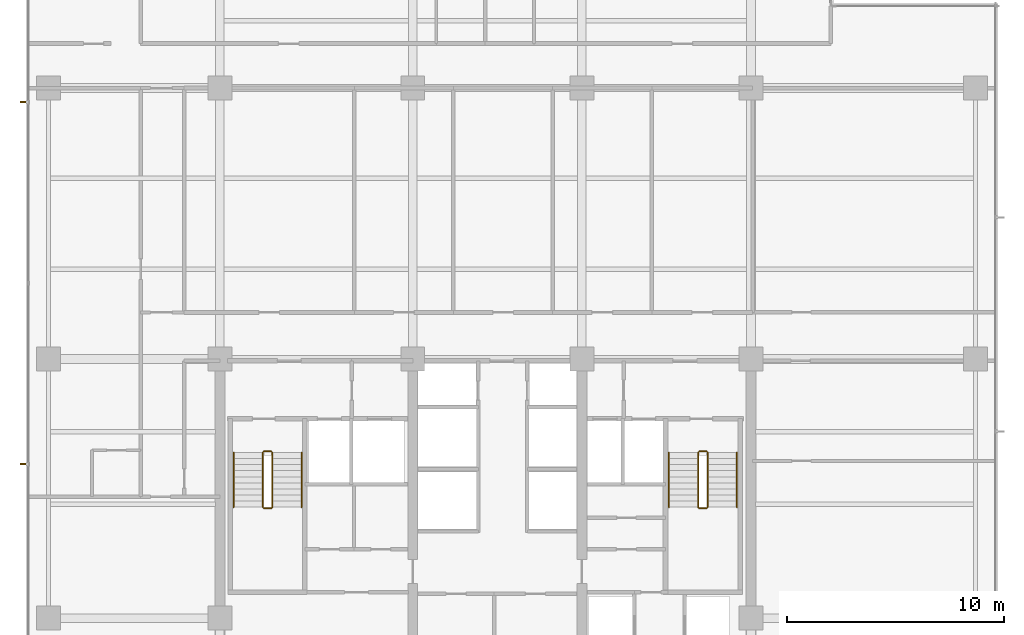
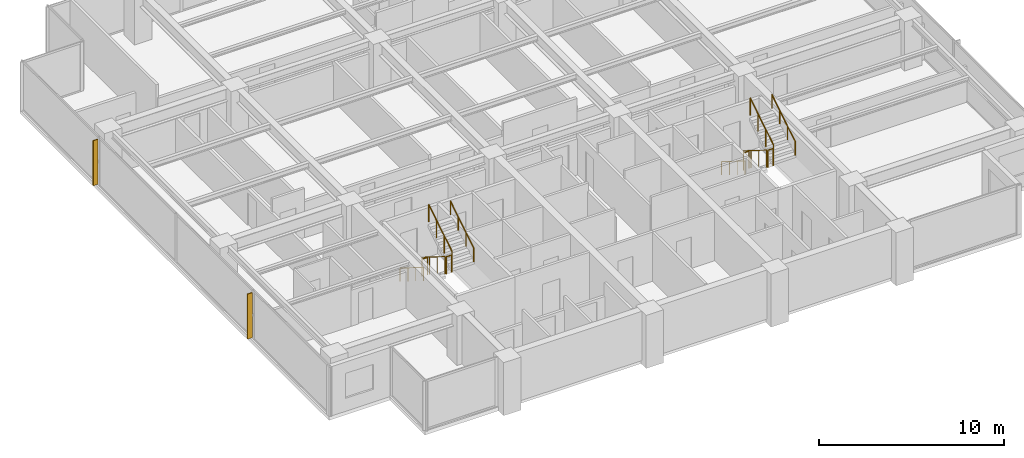
# One storey, part 14 of 15: 12 railings, 2 shading devices.
"""IFC4 building model written with IfcOpenShell, lengths in metres."""

from ifc_helpers import new_model, si_unit, direction, frame, origin, origin_2d, place, context, subcontext, project, spatial, polyline, circle, outline, extrude, material, layer, layer_set, type_object, element, save


model = new_model("IFC4")

# Units and contexts
model_context = context("Model", 3, precision=1e-05, world=origin(), true_north=direction((0.0, 1.0)))
body_context = subcontext(model_context, "Body", "Model", "MODEL_VIEW")
ifc_project = project(units=[si_unit("LENGTHUNIT", "METRE"), si_unit("AREAUNIT", "SQUARE_METRE"), si_unit("VOLUMEUNIT", "CUBIC_METRE"), si_unit("PLANEANGLEUNIT", "RADIAN"), si_unit("MASSUNIT", "GRAM", prefix="KILO")], contexts=[model_context])

# Site, building, storey
site_placement = place(None, origin())
site = spatial("IfcSite", under=ifc_project, at=site_placement, CompositionType="ELEMENT")
building_placement = place(site_placement, origin())
building = spatial("IfcBuilding", under=site, at=building_placement, Name="Qalmaran Belvedere Hotel", CompositionType="ELEMENT")
storey_placement = place(building_placement, frame((0.0, 0.0, 149.10009765625)))
storey = spatial("IfcBuildingStorey", under=building, at=storey_placement, Name="L37", CompositionType="ELEMENT", Elevation=149.10009765625)

# Shading devices
ifc_material_1 = material(Name="Anodised Bronze Aluminium", Category="aluminium")
ifc_layer = layer(ifc_material_1, 0.06494140625, Name="Anodised Bronze Aluminium")
ifc_layer_set = layer_set([ifc_layer], Name="Anodised Bronze Aluminium")
shading_device_type = type_object("IfcShadingDeviceType", Name="FIN-BRNZ-300", PredefinedType="USERDEFINED", material=ifc_layer_set)
shading_device_1_placement = place(storey_placement, frame((0.0, 0.0, 0.159912109375)))
element("IfcShadingDevice", 1, at=shading_device_1_placement, inside=storey, type_object=shading_device_type, Name="L37 Bronze Fin 1", ObjectType="FIN", PredefinedType="USERDEFINED", context=body_context, shape_type="SweptSolid", body=[
    extrude(outline(polyline([(11.3798828125, 32.382568359375), (11.080078125, 32.382568359375), (11.080078125, 32.3173828125), (11.3798828125, 32.3173828125), (11.3798828125, 32.382568359375)])), origin(), (0.0, 0.0, 1.0), 2.969970703125),
])
shading_device_2_placement = place(storey_placement, frame((0.0, 0.0, 0.159912109375)))
element("IfcShadingDevice", 2, at=shading_device_2_placement, inside=storey, type_object=shading_device_type, Name="L37 Bronze Fin 3", ObjectType="FIN", PredefinedType="USERDEFINED", context=body_context, shape_type="SweptSolid", body=[
    extrude(outline(polyline([(11.3798828125, 15.6826171875), (11.080078125, 15.6826171875), (11.080078125, 15.617431640625), (11.3798828125, 15.617431640625), (11.3798828125, 15.6826171875)])), origin(), (0.0, 0.0, 1.0), 2.969970703125),
])

# Railings
ifc_material_2 = material(Name="Stainless Steel 1.4401", Category="steel")
railing_type_1 = type_object("IfcRailingType", Name="RLG-STAIR-GUARD-1150", PredefinedType="GUARDRAIL", material=ifc_material_2)
railing_1_placement = place(storey_placement, frame((22.280029296875, 16.18994140625, 0.1748046875)))
element("IfcRailing", 3, at=railing_1_placement, inside=storey, type_object=railing_type_1, Name="L37 ST-1 stair guard 1", PredefinedType="GUARDRAIL", context=body_context, shape_type="SweptSolid", body=[
    extrude(circle(Radius=0.02392578125, at=origin_2d()), frame((0.0, 0.0, 1.1259765625), z_axis=(0.0, -0.847970611238, 0.530043245855), x_axis=(1.0, 0.0, 0.0)), (0.0, 0.0, 1.0), 2.971923828125),
    extrude(circle(Radius=0.02099609375, at=origin_2d()), origin(), (0.0, 0.0, 1.0), 1.101806640625),
    extrude(circle(Radius=0.02099609375, at=origin_2d()), frame((0.0, -0.840087890625, 0.525146484375)), (0.0, 0.0, 1.0), 1.101806640625),
    extrude(circle(Radius=0.02099609375, at=origin_2d()), frame((0.0, -1.679931640625, 1.050048828125)), (0.0, 0.0, 1.0), 1.101806640625),
    extrude(circle(Radius=0.02099609375, at=origin_2d()), frame((0.0, -2.52001953125, 1.5751953125)), (0.0, 0.0, 1.0), 1.101806640625),
])
railing_2_placement = place(storey_placement, frame((22.330078125, 13.6201171875, 1.75)))
element("IfcRailing", 4, at=railing_2_placement, inside=storey, type_object=railing_type_1, Name="L37 ST-1 stair guard 2", PredefinedType="GUARDRAIL", context=body_context, shape_type="SweptSolid", body=[
    extrude(circle(Radius=0.02392578125, at=origin_2d()), frame((0.0, 0.0, 1.1259765625), z_axis=(1.0, 0.0, 0.0), x_axis=(0.0, 1.0, 0.0)), (0.0, 0.0, 1.0), 0.33984375),
    extrude(circle(Radius=0.02099609375, at=origin_2d()), origin(), (0.0, 0.0, 1.0), 1.101806640625),
    extrude(circle(Radius=0.02099609375, at=origin_2d()), frame((0.33984375, 0.0, 0.0)), (0.0, 0.0, 1.0), 1.101806640625),
])
railing_3_placement = place(storey_placement, frame((22.719970703125, 13.669921875, 1.9248046875)))
element("IfcRailing", 5, at=railing_3_placement, inside=storey, type_object=railing_type_1, Name="L37 ST-1 stair guard 3", PredefinedType="GUARDRAIL", context=body_context, shape_type="SweptSolid", body=[
    extrude(circle(Radius=0.02392578125, at=origin_2d()), frame((0.0, 0.0, 1.1259765625), z_axis=(0.0, 0.847970611238, 0.530043245855), x_axis=(-1.0, 0.0, 0.0)), (0.0, 0.0, 1.0), 2.971923828125),
    extrude(circle(Radius=0.02099609375, at=origin_2d()), origin(), (0.0, 0.0, 1.0), 1.101806640625),
    extrude(circle(Radius=0.02099609375, at=origin_2d()), frame((0.0, 0.840087890625, 0.525146484375)), (0.0, 0.0, 1.0), 1.101806640625),
    extrude(circle(Radius=0.02099609375, at=origin_2d()), frame((0.0, 1.679931640625, 1.050048828125)), (0.0, 0.0, 1.0), 1.101806640625),
    extrude(circle(Radius=0.02099609375, at=origin_2d()), frame((0.0, 2.52001953125, 1.5751953125)), (0.0, 0.0, 1.0), 1.101806640625),
])
railing_4_placement = place(storey_placement, frame((22.330078125, 16.239990234375, 0.0)))
element("IfcRailing", 6, at=railing_4_placement, inside=storey, type_object=railing_type_1, Name="L37 ST-1 stair guard 4", PredefinedType="GUARDRAIL", context=body_context, shape_type="SweptSolid", body=[
    extrude(circle(Radius=0.02392578125, at=origin_2d()), frame((0.0, 0.0, 1.1259765625), z_axis=(1.0, 0.0, 0.0), x_axis=(0.0, 1.0, 0.0)), (0.0, 0.0, 1.0), 0.33984375),
    extrude(circle(Radius=0.02099609375, at=origin_2d()), origin(), (0.0, 0.0, 1.0), 1.101806640625),
    extrude(circle(Radius=0.02099609375, at=origin_2d()), frame((0.33984375, 0.0, 0.0)), (0.0, 0.0, 1.0), 1.101806640625),
])
railing_5_placement = place(storey_placement, frame((42.360107421875, 16.18994140625, 0.1748046875)))
element("IfcRailing", 7, at=railing_5_placement, inside=storey, type_object=railing_type_1, Name="L37 ST-2 stair guard 1", PredefinedType="GUARDRAIL", context=body_context, shape_type="SweptSolid", body=[
    extrude(circle(Radius=0.02392578125, at=origin_2d()), frame((0.0, 0.0, 1.1259765625), z_axis=(0.0, -0.847970611238, 0.530043245855), x_axis=(1.0, 0.0, 0.0)), (0.0, 0.0, 1.0), 2.971923828125),
    extrude(circle(Radius=0.02099609375, at=origin_2d()), origin(), (0.0, 0.0, 1.0), 1.101806640625),
    extrude(circle(Radius=0.02099609375, at=origin_2d()), frame((0.0, -0.840087890625, 0.525146484375)), (0.0, 0.0, 1.0), 1.101806640625),
    extrude(circle(Radius=0.02099609375, at=origin_2d()), frame((0.0, -1.679931640625, 1.050048828125)), (0.0, 0.0, 1.0), 1.101806640625),
    extrude(circle(Radius=0.02099609375, at=origin_2d()), frame((0.0, -2.52001953125, 1.5751953125)), (0.0, 0.0, 1.0), 1.101806640625),
])
railing_6_placement = place(storey_placement, frame((42.409912109375, 13.6201171875, 1.75)))
element("IfcRailing", 8, at=railing_6_placement, inside=storey, type_object=railing_type_1, Name="L37 ST-2 stair guard 2", PredefinedType="GUARDRAIL", context=body_context, shape_type="SweptSolid", body=[
    extrude(circle(Radius=0.02392578125, at=origin_2d()), frame((0.0, 0.0, 1.1259765625), z_axis=(1.0, 0.0, 0.0), x_axis=(0.0, 1.0, 0.0)), (0.0, 0.0, 1.0), 0.340087890625),
    extrude(circle(Radius=0.02099609375, at=origin_2d()), origin(), (0.0, 0.0, 1.0), 1.101806640625),
    extrude(circle(Radius=0.02099609375, at=origin_2d()), frame((0.340087890625, 0.0, 0.0)), (0.0, 0.0, 1.0), 1.101806640625),
])
railing_7_placement = place(storey_placement, frame((42.800048828125, 13.669921875, 1.9248046875)))
element("IfcRailing", 9, at=railing_7_placement, inside=storey, type_object=railing_type_1, Name="L37 ST-2 stair guard 3", PredefinedType="GUARDRAIL", context=body_context, shape_type="SweptSolid", body=[
    extrude(circle(Radius=0.02392578125, at=origin_2d()), frame((0.0, 0.0, 1.1259765625), z_axis=(0.0, 0.847970611238, 0.530043245855), x_axis=(-1.0, 0.0, 0.0)), (0.0, 0.0, 1.0), 2.971923828125),
    extrude(circle(Radius=0.02099609375, at=origin_2d()), origin(), (0.0, 0.0, 1.0), 1.101806640625),
    extrude(circle(Radius=0.02099609375, at=origin_2d()), frame((0.0, 0.840087890625, 0.525146484375)), (0.0, 0.0, 1.0), 1.101806640625),
    extrude(circle(Radius=0.02099609375, at=origin_2d()), frame((0.0, 1.679931640625, 1.050048828125)), (0.0, 0.0, 1.0), 1.101806640625),
    extrude(circle(Radius=0.02099609375, at=origin_2d()), frame((0.0, 2.52001953125, 1.5751953125)), (0.0, 0.0, 1.0), 1.101806640625),
])
railing_8_placement = place(storey_placement, frame((42.409912109375, 16.239990234375, 0.0)))
element("IfcRailing", 10, at=railing_8_placement, inside=storey, type_object=railing_type_1, Name="L37 ST-2 stair guard 4", PredefinedType="GUARDRAIL", context=body_context, shape_type="SweptSolid", body=[
    extrude(circle(Radius=0.02392578125, at=origin_2d()), frame((0.0, 0.0, 1.1259765625), z_axis=(1.0, 0.0, 0.0), x_axis=(0.0, 1.0, 0.0)), (0.0, 0.0, 1.0), 0.340087890625),
    extrude(circle(Radius=0.02099609375, at=origin_2d()), origin(), (0.0, 0.0, 1.0), 1.101806640625),
    extrude(circle(Radius=0.02099609375, at=origin_2d()), frame((0.340087890625, 0.0, 0.0)), (0.0, 0.0, 1.0), 1.101806640625),
])
railing_type_2 = type_object("IfcRailingType", Name="RLG-STAIR-HAND-910", PredefinedType="HANDRAIL", material=ifc_material_2)
railing_9_placement = place(storey_placement, frame((20.929931640625, 16.18994140625, 0.1748046875)))
element("IfcRailing", 11, at=railing_9_placement, inside=storey, type_object=railing_type_2, Name="L37 ST-1 stair handrail 1", PredefinedType="HANDRAIL", context=body_context, shape_type="SweptSolid", body=[
    extrude(circle(Radius=0.02392578125, at=origin_2d()), frame((0.0, 0.0, 0.8857421875), z_axis=(0.0, -0.847970611238, 0.530043245855), x_axis=(1.0, 0.0, 0.0)), (0.0, 0.0, 1.0), 2.971923828125),
    extrude(circle(Radius=0.02099609375, at=origin_2d()), origin(), (0.0, 0.0, 1.0), 0.86181640625),
    extrude(circle(Radius=0.02099609375, at=origin_2d()), frame((0.0, -0.840087890625, 0.525146484375)), (0.0, 0.0, 1.0), 0.86181640625),
    extrude(circle(Radius=0.02099609375, at=origin_2d()), frame((0.0, -1.679931640625, 1.050048828125)), (0.0, 0.0, 1.0), 0.86181640625),
    extrude(circle(Radius=0.02099609375, at=origin_2d()), frame((0.0, -2.52001953125, 1.5751953125)), (0.0, 0.0, 1.0), 0.86181640625),
])
railing_10_placement = place(storey_placement, frame((24.070068359375, 13.669921875, 1.9248046875)))
element("IfcRailing", 12, at=railing_10_placement, inside=storey, type_object=railing_type_2, Name="L37 ST-1 stair handrail 2", PredefinedType="HANDRAIL", context=body_context, shape_type="SweptSolid", body=[
    extrude(circle(Radius=0.02392578125, at=origin_2d()), frame((0.0, 0.0, 0.8857421875), z_axis=(0.0, 0.847970611238, 0.530043245855), x_axis=(-1.0, 0.0, 0.0)), (0.0, 0.0, 1.0), 2.971923828125),
    extrude(circle(Radius=0.02099609375, at=origin_2d()), origin(), (0.0, 0.0, 1.0), 0.86181640625),
    extrude(circle(Radius=0.02099609375, at=origin_2d()), frame((0.0, 0.840087890625, 0.525146484375)), (0.0, 0.0, 1.0), 0.86181640625),
    extrude(circle(Radius=0.02099609375, at=origin_2d()), frame((0.0, 1.679931640625, 1.050048828125)), (0.0, 0.0, 1.0), 0.86181640625),
    extrude(circle(Radius=0.02099609375, at=origin_2d()), frame((0.0, 2.52001953125, 1.5751953125)), (0.0, 0.0, 1.0), 0.86181640625),
])
railing_11_placement = place(storey_placement, frame((41.010009765625, 16.18994140625, 0.1748046875)))
element("IfcRailing", 13, at=railing_11_placement, inside=storey, type_object=railing_type_2, Name="L37 ST-2 stair handrail 1", PredefinedType="HANDRAIL", context=body_context, shape_type="SweptSolid", body=[
    extrude(circle(Radius=0.02392578125, at=origin_2d()), frame((0.0, 0.0, 0.8857421875), z_axis=(0.0, -0.847970611238, 0.530043245855), x_axis=(1.0, 0.0, 0.0)), (0.0, 0.0, 1.0), 2.971923828125),
    extrude(circle(Radius=0.02099609375, at=origin_2d()), origin(), (0.0, 0.0, 1.0), 0.86181640625),
    extrude(circle(Radius=0.02099609375, at=origin_2d()), frame((0.0, -0.840087890625, 0.525146484375)), (0.0, 0.0, 1.0), 0.86181640625),
    extrude(circle(Radius=0.02099609375, at=origin_2d()), frame((0.0, -1.679931640625, 1.050048828125)), (0.0, 0.0, 1.0), 0.86181640625),
    extrude(circle(Radius=0.02099609375, at=origin_2d()), frame((0.0, -2.52001953125, 1.5751953125)), (0.0, 0.0, 1.0), 0.86181640625),
])
railing_12_placement = place(storey_placement, frame((44.14990234375, 13.669921875, 1.9248046875)))
element("IfcRailing", 14, at=railing_12_placement, inside=storey, type_object=railing_type_2, Name="L37 ST-2 stair handrail 2", PredefinedType="HANDRAIL", context=body_context, shape_type="SweptSolid", body=[
    extrude(circle(Radius=0.02392578125, at=origin_2d()), frame((0.0, 0.0, 0.8857421875), z_axis=(0.0, 0.847970611238, 0.530043245855), x_axis=(-1.0, 0.0, 0.0)), (0.0, 0.0, 1.0), 2.971923828125),
    extrude(circle(Radius=0.02099609375, at=origin_2d()), origin(), (0.0, 0.0, 1.0), 0.86181640625),
    extrude(circle(Radius=0.02099609375, at=origin_2d()), frame((0.0, 0.840087890625, 0.525146484375)), (0.0, 0.0, 1.0), 0.86181640625),
    extrude(circle(Radius=0.02099609375, at=origin_2d()), frame((0.0, 1.679931640625, 1.050048828125)), (0.0, 0.0, 1.0), 0.86181640625),
    extrude(circle(Radius=0.02099609375, at=origin_2d()), frame((0.0, 2.52001953125, 1.5751953125)), (0.0, 0.0, 1.0), 0.86181640625),
])

save(model, "model.ifc")
